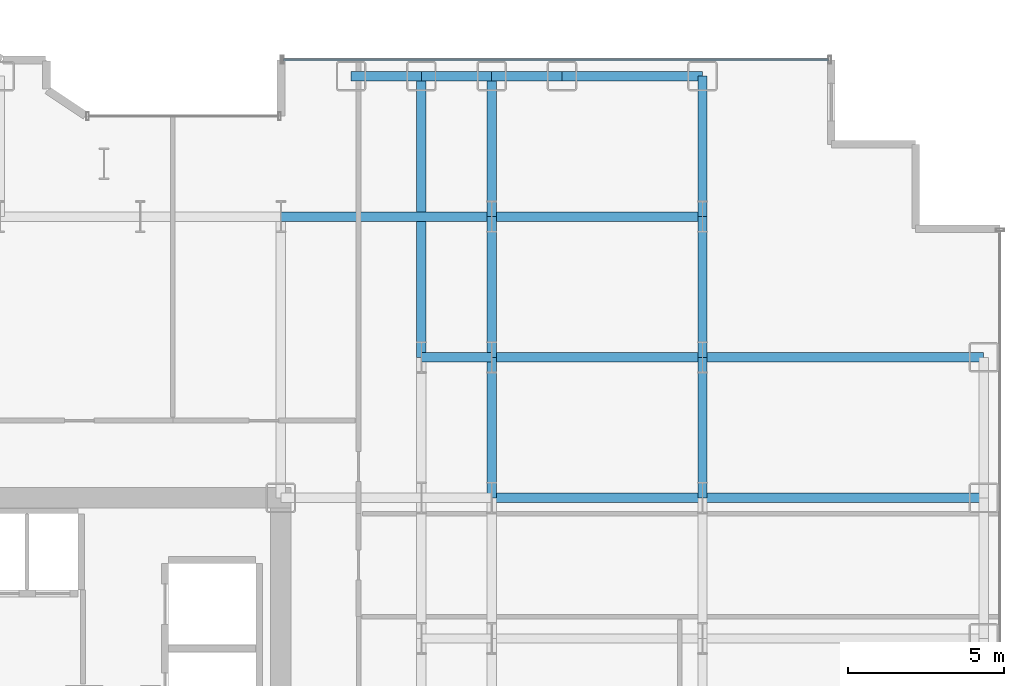
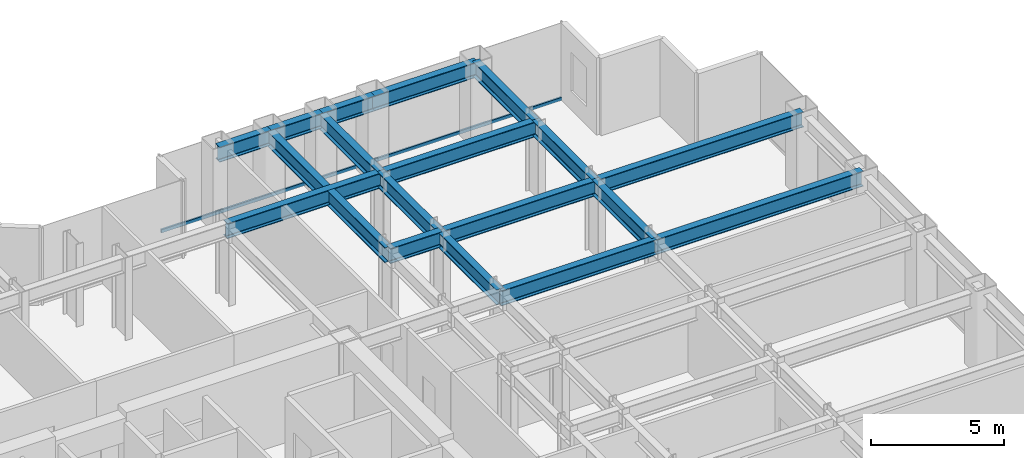
# One storey, part 13 of 26: 18 beams, 1 member, 1 element without a shape of its own.
"""IFC4 building model written with IfcOpenShell, lengths in metres."""

from ifc_helpers import new_model, si_unit, direction, frame, origin, origin_2d, place, context, subcontext, project, spatial, hollow_rectangle, i_section, extrude, source, transform, mapped, material, layer, layer_set, material_profile, profile_set, type_object, element, aggregate, save


model = new_model("IFC4")

# Units and contexts
model_context = context("Model", 3, precision=1e-05, world=origin(), true_north=direction((0.0, 1.0)))
body_context = subcontext(model_context, "Body", "Model", "MODEL_VIEW")
ifc_project = project(units=[si_unit("LENGTHUNIT", "METRE"), si_unit("AREAUNIT", "SQUARE_METRE"), si_unit("VOLUMEUNIT", "CUBIC_METRE"), si_unit("PLANEANGLEUNIT", "RADIAN"), si_unit("MASSUNIT", "GRAM", prefix="KILO")], contexts=[model_context])

# Site, building, storey
site_placement = place(None, origin())
site = spatial("IfcSite", under=ifc_project, at=site_placement, CompositionType="ELEMENT")
building_placement = place(site_placement, origin())
building = spatial("IfcBuilding", under=site, at=building_placement, Name="Nefas-Gora Pilgrimage Tower", CompositionType="ELEMENT")
storey_placement = place(building_placement, frame((0.0, 0.0, 59.60009765625)))
storey = spatial("IfcBuildingStorey", under=building, at=storey_placement, Name="L13", CompositionType="ELEMENT", Elevation=59.60009765625)

# Beams
ifc_material_1 = material(Name="Steel S355", Category="steel")
ifc_material_profile_1 = material_profile(ifc_material_1, i_section(OverallWidth=0.300048828125, OverallDepth=0.699951171875, WebThickness=0.01708984375, FlangeThickness=0.031982421875, FilletRadius=0.027099609375, at=origin_2d()), Name="HEB 700")
ifc_profile_set_1 = profile_set([ifc_material_profile_1], Name="Steel S355")
beam_type_1 = type_object("IfcBeamType", Name="BM-SPN-HEB600", PredefinedType="SPANDREL", material=ifc_profile_set_1)
shared_shape_1 = source(origin(), body_context, "Body", "SweptSolid", [
    extrude(i_section(OverallWidth=0.300048828125, OverallDepth=0.699951171875, WebThickness=0.01708984375, FlangeThickness=0.031982421875, FilletRadius=0.027099609375, at=origin_2d()), origin(), (0.0, 0.0, 1.0), 4.5),
])
beam_1_placement = place(storey_placement, frame((20.25, 22.5, 3.199951171875), z_axis=(1.0, 0.0, 0.0), x_axis=(0.0, 1.0, 0.0)))
element("IfcBeam", 1, at=beam_1_placement, inside=storey, type_object=beam_type_1, Name="L13 SP-01 beam", PredefinedType="SPANDREL", context=body_context, shape_type="MappedRepresentation", body=[
    mapped(shared_shape_1, transform((0.0, 0.0, 0.0), x_axis=(1.0, 0.0, 0.0), y_axis=(0.0, 1.0, 0.0), z_axis=(0.0, 0.0, 1.0), scale=1.0)),
])
ifc_material_profile_2 = material_profile(ifc_material_1, i_section(OverallWidth=0.300048828125, OverallDepth=0.699951171875, WebThickness=0.01708984375, FlangeThickness=0.031982421875, FilletRadius=0.027099609375, at=origin_2d()), Name="HEB 700")
ifc_profile_set_2 = profile_set([ifc_material_profile_2], Name="Steel S355")
beam_type_2 = type_object("IfcBeamType", Name="BM-GIR-HEB700", PredefinedType="BEAM", material=ifc_profile_set_2)
shared_shape_2 = source(origin(), body_context, "Body", "SweptSolid", [
    extrude(i_section(OverallWidth=0.300048828125, OverallDepth=0.699951171875, WebThickness=0.01708984375, FlangeThickness=0.031982421875, FilletRadius=0.027099609375, at=origin_2d()), origin(), (0.0, 0.0, 1.0), 9.0),
])
for number, where, z_axis, x_axis, name in (
    (2, (15.75, 13.5, 3.199951171875), (0.0, 1.0, 0.0), (-1.0, 0.0, 0.0), "L13 G-02 beam"),
    (3, (24.75, 9.0, 3.199951171875), (1.0, 0.0, 0.0), (0.0, 1.0, 0.0), "L13 G-02 beam"),
    (4, (24.75, 13.5, 3.199951171875), (1.0, 0.0, 0.0), (0.0, 1.0, 0.0), "L13 G-02 beam"),
):
    element("IfcBeam", number, at=place(storey_placement, frame(where, z_axis=z_axis, x_axis=x_axis)), inside=storey, type_object=beam_type_2, Name=name, PredefinedType="BEAM", context=body_context, shape_type="MappedRepresentation", body=[
        mapped(shared_shape_2, transform((0.0, 0.0, 0.0), x_axis=(1.0, 0.0, 0.0), y_axis=(0.0, 1.0, 0.0), z_axis=(0.0, 0.0, 1.0), scale=1.0)),
    ])
shared_shape_3 = source(origin(), body_context, "Body", "SweptSolid", [
    extrude(i_section(OverallWidth=0.300048828125, OverallDepth=0.699951171875, WebThickness=0.01708984375, FlangeThickness=0.031982421875, FilletRadius=0.027099609375, at=origin_2d()), origin(), (0.0, 0.0, 1.0), 4.5),
])
for number, where, z_axis, x_axis, name in (
    (5, (18.0, 9.0, 3.199951171875), (0.0, 1.0, 0.0), (-1.0, 0.0, 0.0), "L13 G-02 beam"),
    (6, (18.0, 13.5, 3.199951171875), (0.0, 1.0, 0.0), (-1.0, 0.0, 0.0), "L13 G-02 beam"),
    (7, (18.0, 18.0, 3.199951171875), (0.0, 1.0, 0.0), (-1.0, 0.0, 0.0), "L13 G-02 beam"),
    (8, (24.75, 9.0, 3.199951171875), (0.0, 1.0, 0.0), (-1.0, 0.0, 0.0), "L13 G-02 beam"),
    (9, (24.75, 13.5, 3.199951171875), (0.0, 1.0, 0.0), (-1.0, 0.0, 0.0), "L13 G-02 beam"),
    (10, (24.75, 18.0, 3.199951171875), (0.0, 1.0, 0.0), (-1.0, 0.0, 0.0), "L13 G-02 beam"),
):
    element("IfcBeam", number, at=place(storey_placement, frame(where, z_axis=z_axis, x_axis=x_axis)), inside=storey, type_object=beam_type_2, Name=name, PredefinedType="BEAM", context=body_context, shape_type="MappedRepresentation", body=[
        mapped(shared_shape_3, transform((0.0, 0.0, 0.0), x_axis=(1.0, 0.0, 0.0), y_axis=(0.0, 1.0, 0.0), z_axis=(0.0, 0.0, 1.0), scale=1.0)),
    ])
shared_shape_4 = source(origin(), body_context, "Body", "SweptSolid", [
    extrude(i_section(OverallWidth=0.300048828125, OverallDepth=0.699951171875, WebThickness=0.01708984375, FlangeThickness=0.031982421875, FilletRadius=0.027099609375, at=origin_2d()), origin(), (0.0, 0.0, 1.0), 6.75),
])
for number, where, z_axis, x_axis, name in (
    (11, (11.25, 18.0, 3.199951171875), (1.0, 0.0, 0.0), (0.0, 1.0, 0.0), "L13 G-02 beam"),
    (12, (18.0, 9.0, 3.199951171875), (1.0, 0.0, 0.0), (0.0, 1.0, 0.0), "L13 G-02 beam"),
    (13, (18.0, 13.5, 3.199951171875), (1.0, 0.0, 0.0), (0.0, 1.0, 0.0), "L13 G-02 beam"),
    (14, (18.0, 18.0, 3.199951171875), (1.0, 0.0, 0.0), (0.0, 1.0, 0.0), "L13 G-02 beam"),
):
    element("IfcBeam", number, at=place(storey_placement, frame(where, z_axis=z_axis, x_axis=x_axis)), inside=storey, type_object=beam_type_2, Name=name, PredefinedType="BEAM", context=body_context, shape_type="MappedRepresentation", body=[
        mapped(shared_shape_4, transform((0.0, 0.0, 0.0), x_axis=(1.0, 0.0, 0.0), y_axis=(0.0, 1.0, 0.0), z_axis=(0.0, 0.0, 1.0), scale=1.0)),
    ])
shared_shape_5 = source(origin(), body_context, "Body", "SweptSolid", [
    extrude(i_section(OverallWidth=0.300048828125, OverallDepth=0.699951171875, WebThickness=0.01708984375, FlangeThickness=0.031982421875, FilletRadius=0.027099609375, at=origin_2d()), origin(), (0.0, 0.0, 1.0), 2.25),
])
for number, where, z_axis, x_axis, name in (
    (15, (13.5, 22.5, 3.199951171875), (1.0, 0.0, 0.0), (0.0, 1.0, 0.0), "L13 SP-01 beam"),
    (16, (15.75, 22.5, 3.199951171875), (1.0, 0.0, 0.0), (0.0, 1.0, 0.0), "L13 SP-01 beam"),
    (17, (18.0, 22.5, 3.199951171875), (1.0, 0.0, 0.0), (0.0, 1.0, 0.0), "L13 SP-01 beam"),
):
    element("IfcBeam", number, at=place(storey_placement, frame(where, z_axis=z_axis, x_axis=x_axis)), inside=storey, type_object=beam_type_1, Name=name, PredefinedType="SPANDREL", context=body_context, shape_type="MappedRepresentation", body=[
        mapped(shared_shape_5, transform((0.0, 0.0, 0.0), x_axis=(1.0, 0.0, 0.0), y_axis=(0.0, 1.0, 0.0), z_axis=(0.0, 0.0, 1.0), scale=1.0)),
    ])
shared_shape_6 = source(origin(), body_context, "Body", "SweptSolid", [
    extrude(i_section(OverallWidth=0.300048828125, OverallDepth=0.699951171875, WebThickness=0.01708984375, FlangeThickness=0.031982421875, FilletRadius=0.027099609375, at=origin_2d()), origin(), (0.0, 0.0, 1.0), 2.25),
])
beam_2_placement = place(storey_placement, frame((15.75, 13.5, 3.199951171875), z_axis=(1.0, 0.0, 0.0), x_axis=(0.0, 1.0, 0.0)))
element("IfcBeam", 18, at=beam_2_placement, inside=storey, type_object=beam_type_2, Name="L13 G-02 beam", PredefinedType="BEAM", context=body_context, shape_type="MappedRepresentation", body=[
    mapped(shared_shape_6, transform((0.0, 0.0, 0.0), x_axis=(1.0, 0.0, 0.0), y_axis=(0.0, 1.0, 0.0), z_axis=(0.0, 0.0, 1.0), scale=1.0)),
])

# Curtain wall, member
ifc_material_2 = material(Name="Dark ceramic-fritted solar-control aluminium-glass curtain wall", Category="aluminium")
ifc_layer = layer(ifc_material_2, 0.219970703125)
ifc_layer_set = layer_set([ifc_layer], Name="Dark ceramic-fritted solar-control aluminium-glass curtain wall")
curtain_wall_type = type_object("IfcCurtainWallType", Name="CW-SYS-2", PredefinedType="NOTDEFINED", material=ifc_layer_set)
curtain_wall_placement = place(storey_placement, origin())
curtain_wall = element("IfcCurtainWall", 19, at=curtain_wall_placement, inside=storey, type_object=curtain_wall_type, Name="L13 Unitised Curtain Wall CW2", PredefinedType="NOTDEFINED")
ifc_material_3 = material(Name="Anodised architectural aluminium", Category="aluminium")
ifc_material_profile_3 = material_profile(ifc_material_3, hollow_rectangle(XDim=0.080078125, YDim=0.159912109375, WallThickness=0.00439453125, InnerFilletRadius=0.00439453125, OuterFilletRadius=0.009033203125, at=origin_2d()), Name="ALU TRANSOM 80x160")
ifc_profile_set_3 = profile_set([ifc_material_profile_3], Name="Anodised architectural aluminium")
member_type = type_object("IfcMemberType", Name="CWM-TRN-2", PredefinedType="USERDEFINED", material=ifc_profile_set_3)
shared_shape_7 = source(origin(), body_context, "Body", "SweptSolid", [
    extrude(hollow_rectangle(XDim=0.080078125, YDim=0.159912109375, WallThickness=0.00439453125, InnerFilletRadius=0.00439453125, OuterFilletRadius=0.009033203125, at=origin_2d()), origin(), (0.0, 0.0, 1.0), 17.43994140625),
])
member_placement = place(storey_placement, frame((28.780029296875, 23.02001953125, 0.0498046875), z_axis=(-1.0, 0.0, 0.0), x_axis=(0.0, -1.0, 0.0)))
member = element("IfcMember", 20, at=member_placement, type_object=member_type, Name="CW2 Spandrel Transom", ObjectType="TRANSOM", PredefinedType="USERDEFINED", context=body_context, shape_type="MappedRepresentation", body=[
    mapped(shared_shape_7, transform((0.0, 0.0, 0.0), x_axis=(1.0, 0.0, 0.0), y_axis=(0.0, 1.0, 0.0), z_axis=(0.0, 0.0, 1.0), scale=1.0)),
])
aggregate(curtain_wall, [member])

save(model, "model.ifc")
